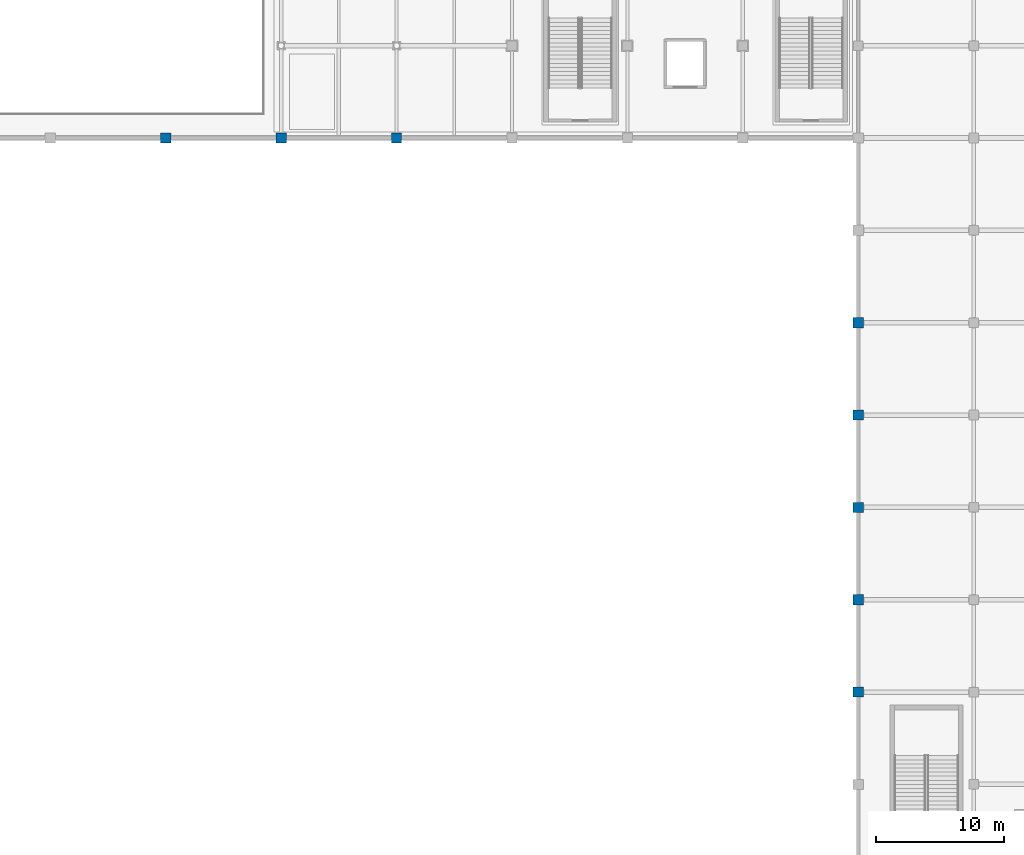
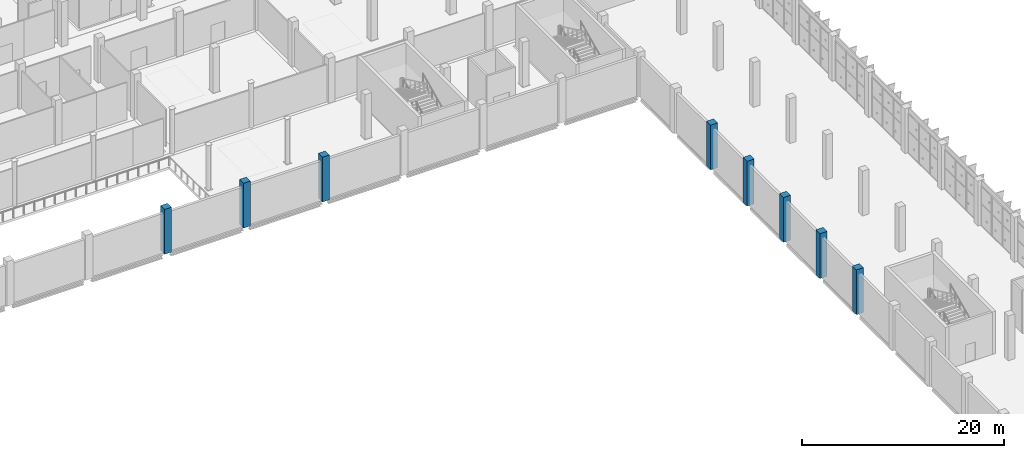
# One storey, part 5 of 189: 8 columns.
"""IFC4 building model written with IfcOpenShell, lengths in metres."""

from ifc_helpers import new_model, si_unit, direction, frame, origin, origin_2d, place, context, subcontext, project, spatial, rectangle, extrude, material, material_profile, profile_set, type_object, element, save


model = new_model("IFC4")

# Units and contexts
model_context = context("Model", 3, precision=1e-05, world=origin(), true_north=direction((0.0, 1.0)))
body_context = subcontext(model_context, "Body", "Model", "MODEL_VIEW")
ifc_project = project(units=[si_unit("LENGTHUNIT", "METRE"), si_unit("AREAUNIT", "SQUARE_METRE"), si_unit("VOLUMEUNIT", "CUBIC_METRE"), si_unit("PLANEANGLEUNIT", "RADIAN"), si_unit("MASSUNIT", "GRAM", prefix="KILO")], contexts=[model_context])

# Site, building, storey
site_placement = place(None, origin())
site = spatial("IfcSite", under=ifc_project, at=site_placement, CompositionType="ELEMENT")
building_placement = place(site_placement, origin())
building = spatial("IfcBuilding", under=site, at=building_placement, Name="Celestram Park Convention Centre", CompositionType="ELEMENT")
storey_placement = place(building_placement, frame((0.0, 0.0, 5.39990234375)))
storey = spatial("IfcBuildingStorey", under=building, at=storey_placement, Name="L01", CompositionType="ELEMENT", Elevation=5.39990234375)

# Columns
ifc_material = material(Name="Concrete C40/50", Category="concrete")
ifc_material_profile = material_profile(ifc_material, rectangle(XDim=0.800048828125, YDim=0.800048828125, at=origin_2d()), Name="RC800X800")
ifc_profile_set = profile_set([ifc_material_profile], Name="Concrete C40/50")
column_type = type_object("IfcColumnType", Name="STR-COL-RC800", PredefinedType="COLUMN", material=ifc_profile_set)
for number, where, z_axis, x_axis, name in (
    (1, (72.0, 108.0, 0.0), (0.0, 0.0, 1.0), (1.0, 0.0, 0.0), "Column CN-L01-079"),
    (2, (81.0, 108.0, 0.0), (0.0, 0.0, 1.0), (1.0, 0.0, 0.0), "Column CN-L01-088"),
    (3, (90.0, 108.0, 0.0), (0.0, 0.0, 1.0), (1.0, 0.0, 0.0), "Column CN-L01-098"),
    (4, (126.0, 64.800048828125, 0.0), (0.0, 0.0, 1.0), (1.0, 0.0, 0.0), "Column CN-L01-143"),
    (5, (126.0, 72.0, 0.0), (0.0, 0.0, 1.0), (1.0, 0.0, 0.0), "Column CN-L01-144"),
    (6, (126.0, 79.199951171875, 0.0), (0.0, 0.0, 1.0), (1.0, 0.0, 0.0), "Column CN-L01-145"),
    (7, (126.0, 86.39990234375, 0.0), (0.0, 0.0, 1.0), (1.0, 0.0, 0.0), "Column CN-L01-146"),
    (8, (126.0, 93.60009765625, 0.0), (0.0, 0.0, 1.0), (1.0, 0.0, 0.0), "Column CN-L01-147"),
):
    element("IfcColumn", number, at=place(storey_placement, frame(where, z_axis=z_axis, x_axis=x_axis)), inside=storey, type_object=column_type, Name=name, PredefinedType="COLUMN", context=body_context, shape_type="SweptSolid", body=[
        extrude(rectangle(XDim=0.800048828125, YDim=0.800048828125, at=origin_2d()), origin(), (0.0, 0.0, 1.0), 5.400146484375),
    ])

save(model, "model.ifc")
